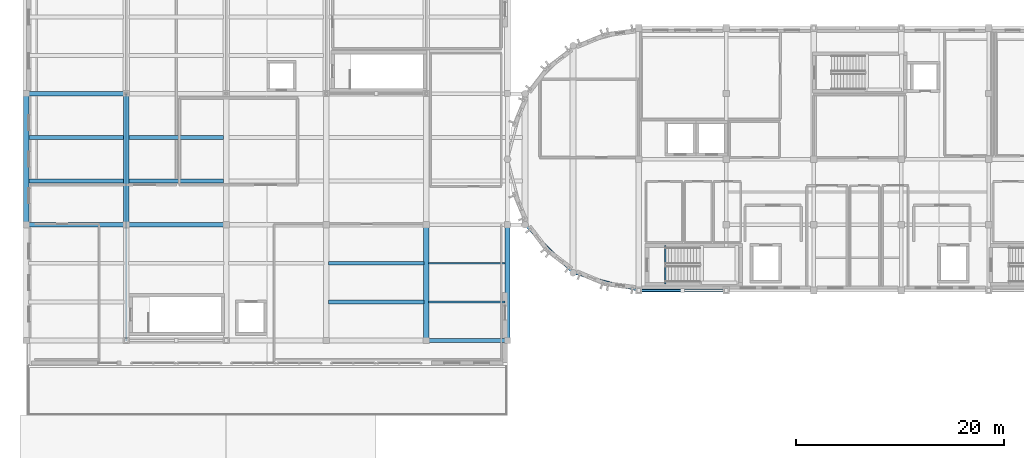
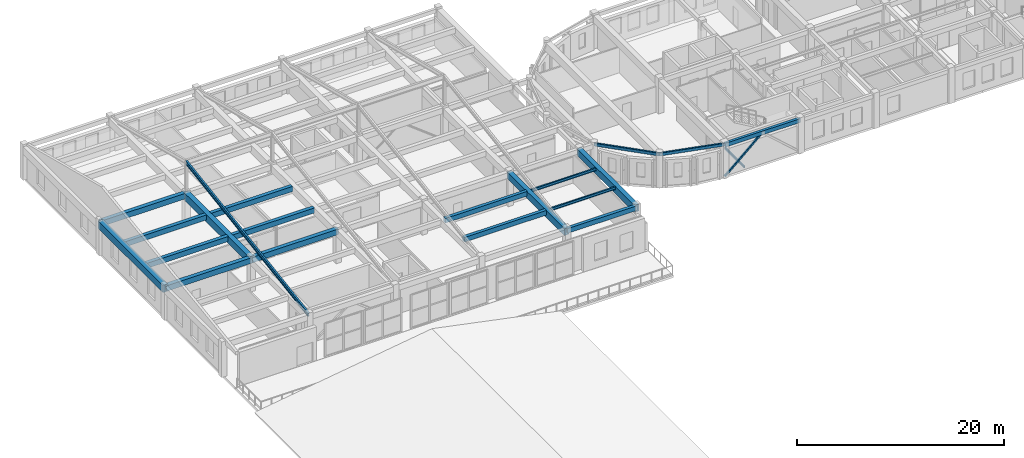
# One storey, part 8 of 29: 20 beams, 2 members.
"""IFC4 building model written with IfcOpenShell, lengths in metres."""

import ifcopenshell
import ifcopenshell.guid

model = None  # the IFC model being written
_history = None  # IfcOwnerHistory: only IFC2X3 demands one
_inside = {}  # id of a spatial element -> (the spatial element, [elements in it])
_under = {}  # id of a project, library or spatial element -> (it, [spatial elements below it])
_declared = {}  # id of a project -> (the project, [libraries it declares])
_typed = {}  # id of a type object -> (the type object, [elements of that type])
_made_of = {}  # id of a material, layer set ... -> (it, [elements and type objects made of it])


def new_model(schema):
    """Start an empty IFC model of exactly this schema.

    Asked for "IFC4X3", IfcOpenShell would pick the latest addendum, in which some entities
    have other attributes; the version numbers below select the first issue.
    IFC2X3 requires an IfcOwnerHistory on every rooted entity: one is made here for all.
    """
    global model, _history
    if schema == "IFC4X3":
        model = ifcopenshell.file(schema_version=(4, 3, 0, 0))
    else:
        model = ifcopenshell.file(schema=schema)
    _inside.clear()
    _under.clear()
    _declared.clear()
    _typed.clear()
    _made_of.clear()
    _history = None
    if model.schema == "IFC2X3":
        org = make("IfcOrganization", Name="unknown")
        user = make(
            "IfcPersonAndOrganization",
            ThePerson=make("IfcPerson", FamilyName="unknown"),
            TheOrganization=org,
        )
        app = make(
            "IfcApplication",
            ApplicationDeveloper=org,
            Version="unknown",
            ApplicationFullName="unknown",
            ApplicationIdentifier="unknown",
        )
        _history = make(
            "IfcOwnerHistory",
            OwningUser=user,
            OwningApplication=app,
            ChangeAction="ADDED",
            CreationDate=0,
        )
    return model


def make(cls, **values):
    """One entity of the class cls with the attributes given. An attribute that is None is left unset."""
    return model.create_entity(
        cls, **{name: value for name, value in values.items() if value is not None}
    )


def rooted(cls, **values):
    """An entity with a GlobalId (a new one), such as an element, a storey or a relation."""
    return make(cls, GlobalId=ifcopenshell.guid.new(), OwnerHistory=_history, **values)


def si_unit(unit_type, name, prefix=None):
    """IfcSIUnit, for example si_unit("LENGTHUNIT", "METRE", prefix="MILLI")."""
    return make("IfcSIUnit", UnitType=unit_type, Prefix=prefix, Name=name)


def assignment(units):
    """IfcUnitAssignment: the units of a project."""
    return None if units is None else make("IfcUnitAssignment", Units=units)


def point(xyz):
    """IfcCartesianPoint."""
    return None if xyz is None else make("IfcCartesianPoint", Coordinates=xyz)


def direction(xyz):
    """IfcDirection."""
    return None if xyz is None else make("IfcDirection", DirectionRatios=xyz)


def frame(location, z_axis=None, x_axis=None):
    """IfcAxis2Placement3D, a coordinate frame: its origin and axes. An axis left out is left unset."""
    return make(
        "IfcAxis2Placement3D",
        Location=point(location),
        Axis=direction(z_axis),
        RefDirection=direction(x_axis),
    )


def frame_2d(location, x_axis=None):
    """IfcAxis2Placement2D, a coordinate frame in the plane: its origin and x axis."""
    return make(
        "IfcAxis2Placement2D", Location=point(location), RefDirection=direction(x_axis)
    )


def origin():
    """The frame at (0, 0, 0) with its axes left unset."""
    return frame((0.0, 0.0, 0.0))


def origin_2d():
    """The frame at (0, 0) in the plane with its x axis left unset."""
    return frame_2d((0.0, 0.0))


def place(relative_to, where):
    """IfcLocalPlacement: puts the frame where relative to a parent placement (None: the world)."""
    return make(
        "IfcLocalPlacement", PlacementRelTo=relative_to, RelativePlacement=where
    )


def context(
    kind, dimensions, precision=None, world=None, true_north=None, identifier=None
):
    """IfcGeometricRepresentationContext, for example the 3D "Model" context."""
    return make(
        "IfcGeometricRepresentationContext",
        ContextIdentifier=identifier,
        ContextType=kind,
        CoordinateSpaceDimension=dimensions,
        Precision=precision,
        WorldCoordinateSystem=world,
        TrueNorth=true_north,
    )


def subcontext(parent, identifier, kind, view, scale=None):
    """IfcGeometricRepresentationSubContext, for example "Body" below "Model"."""
    return make(
        "IfcGeometricRepresentationSubContext",
        ContextIdentifier=identifier,
        ContextType=kind,
        ParentContext=parent,
        TargetScale=scale,
        TargetView=view,
    )


def project(units=None, contexts=None):
    """IfcProject with its units and contexts."""
    return rooted(
        "IfcProject",
        Name="project",
        RepresentationContexts=contexts,
        UnitsInContext=assignment(units),
    )


def spatial(cls, under=None, at=None, **own):
    """A site, building, storey or space (cls), placed at a placement, below another one or the project."""
    s = rooted(cls, ObjectPlacement=at, **own)
    if under is not None:
        _under.setdefault(under.id(), (under, []))[1].append(s)
    return s


def profile(cls, at=None, kind="AREA", **sizes):
    """A parametric profile (cls). Its sizes go by their IFC names, for example OverallWidth=200.0."""
    return make(cls, ProfileType=kind, Position=at, **sizes)


def rectangle(**sizes):
    """IfcRectangleProfileDef."""
    return profile("IfcRectangleProfileDef", **sizes)


def hollow_rectangle(**sizes):
    """IfcRectangleHollowProfileDef."""
    return profile("IfcRectangleHollowProfileDef", **sizes)


def i_section(**sizes):
    """IfcIShapeProfileDef."""
    return profile("IfcIShapeProfileDef", **sizes)


def extrude(swept, where, along, depth):
    """IfcExtrudedAreaSolid: the profile swept, set in the frame where, extruded along a direction by depth."""
    return make(
        "IfcExtrudedAreaSolid",
        SweptArea=swept,
        Position=where,
        ExtrudedDirection=direction(along),
        Depth=depth,
    )


def shape(context_of_items, identifier, shape_type, items):
    """IfcShapeRepresentation: the items that make up one representation, for example the "Body"."""
    return make(
        "IfcShapeRepresentation",
        ContextOfItems=context_of_items,
        RepresentationIdentifier=identifier,
        RepresentationType=shape_type,
        Items=items,
    )


def material(Name=None, Category=None):
    """IfcMaterial."""
    return make("IfcMaterial", Name=Name, Category=Category)


def material_profile(
    of_material, cross_section, Name=None, Category=None, Priority=None
):
    """IfcMaterialProfile: a cross section and its material."""
    return make(
        "IfcMaterialProfile",
        Name=Name,
        Material=of_material,
        Profile=cross_section,
        Priority=Priority,
        Category=Category,
    )


def profile_set(profiles, Name=None, composite=None):
    """IfcMaterialProfileSet."""
    return make(
        "IfcMaterialProfileSet",
        Name=Name,
        MaterialProfiles=profiles,
        CompositeProfile=composite,
    )


def made_of(thing, what):
    """Note that an element or type object is made of a material, layer set ...; save() writes the relation."""
    if what is not None:
        _made_of.setdefault(what.id(), (what, []))[1].append(thing)
    return thing


def type_object(cls, material=None, **own):
    """A type object (cls), such as IfcWallType, which elements share."""
    return made_of(rooted(cls, **own), material)


def element(
    cls,
    number,
    at=None,
    inside=None,
    cuts=None,
    type_object=None,
    material=None,
    context=None,
    identifier="Body",
    shape_type=None,
    held_by="IfcProductDefinitionShape",
    body=None,
    shapes=None,
    **own,
):
    """One element of the class cls, such as IfcWall. Its Tag is "e" and its number.

    at: its placement. inside: the storey or other place that contains it. cuts: it is an
    opening in that element (IfcRelVoidsElement). A single representation is given by context,
    identifier, shape_type and body (its items); several are given by shapes. held_by: the class
    of the entity that holds the representations. save() writes the other relations.
    """
    e = rooted(cls, Tag="e%d" % number, ObjectPlacement=at, **own)
    if body is not None:
        shapes = [shape(context, identifier, shape_type, body)]
    if shapes is not None:
        e.Representation = make(held_by, Representations=shapes)
    if inside is not None:
        _inside.setdefault(inside.id(), (inside, []))[1].append(e)
    if cuts is not None:
        rooted(
            "IfcRelVoidsElement", RelatingBuildingElement=cuts, RelatedOpeningElement=e
        )
    if type_object is not None:
        _typed.setdefault(type_object.id(), (type_object, []))[1].append(e)
    return made_of(e, material)


def aggregate(whole, parts):
    """IfcRelAggregates: a whole, such as a stair, and the parts it consists of."""
    return rooted("IfcRelAggregates", RelatingObject=whole, RelatedObjects=parts)


def save(model, path):
    """Write the relations noted so far, then the file.

    IfcRelAggregates (storeys below a building ...), IfcRelContainedInSpatialStructure (elements
    in a storey), IfcRelDefinesByType, IfcRelAssociatesMaterial and IfcRelDeclares: one each for
    every whole, place, type object, material and project.
    """
    for whole, parts in _under.values():
        aggregate(whole, parts)
    for where, things in _inside.values():
        rooted(
            "IfcRelContainedInSpatialStructure",
            RelatedElements=things,
            RelatingStructure=where,
        )
    for kind, things in _typed.values():
        rooted("IfcRelDefinesByType", RelatedObjects=things, RelatingType=kind)
    for what, things in _made_of.values():
        rooted("IfcRelAssociatesMaterial", RelatedObjects=things, RelatingMaterial=what)
    for by, libraries in _declared.values():
        rooted("IfcRelDeclares", RelatingContext=by, RelatedDefinitions=libraries)
    model.write(path)


model = new_model("IFC4")

# Units and contexts
model_context = context("Model", 3, precision=1e-05, world=origin(), true_north=direction((0.0, 1.0)))
body_context = subcontext(model_context, "Body", "Model", "MODEL_VIEW")
ifc_project = project(units=[si_unit("LENGTHUNIT", "METRE"), si_unit("AREAUNIT", "SQUARE_METRE"), si_unit("VOLUMEUNIT", "CUBIC_METRE"), si_unit("PLANEANGLEUNIT", "RADIAN"), si_unit("MASSUNIT", "GRAM", prefix="KILO")], contexts=[model_context])

# Site, building, storey
site_placement = place(None, origin())
site = spatial("IfcSite", under=ifc_project, at=site_placement, CompositionType="ELEMENT")
building_placement = place(site_placement, origin())
building = spatial("IfcBuilding", under=site, at=building_placement, Name="Tarnavel Promenade Courthouse", CompositionType="ELEMENT")
storey_placement = place(building_placement, frame((0.0, 0.0, 22.800048828125)))
storey = spatial("IfcBuildingStorey", under=building, at=storey_placement, Name="L06", CompositionType="ELEMENT", Elevation=22.800048828125)

# Beams
ifc_material_1 = material(Name="Concrete C40/50", Category="concrete")
ifc_material_profile_1 = material_profile(ifc_material_1, rectangle(XDim=0.35009765625, YDim=0.550048828125, at=origin_2d()), Name="PT 350x550")
ifc_profile_set_1 = profile_set([ifc_material_profile_1], Name="Concrete C40/50")
beam_type_1 = type_object("IfcBeamType", Name="Concrete C40/50 BM-PT-350x550 (PT 350x550)", PredefinedType="JOIST", material=ifc_profile_set_1)
for number, where, z_axis, x_axis, name in (
    (1, (29.02001953125, 78.10009765625, 3.68994140625), (1.0, 0.0, 0.0), (0.0, 1.0, 0.0), "L06 Secondary Floor Rib 2478"),
    (2, (29.02001953125, 81.800048828125, 3.68994140625), (1.0, 0.0, 0.0), (0.0, 1.0, 0.0), "L06 Secondary Floor Rib 2479"),
):
    element("IfcBeam", number, at=place(storey_placement, frame(where, z_axis=z_axis, x_axis=x_axis)), inside=storey, type_object=beam_type_1, Name=name, PredefinedType="JOIST", context=body_context, shape_type="SweptSolid", body=[
        extrude(rectangle(XDim=0.35009765625, YDim=0.550048828125, at=origin_2d()), origin(), (0.0, 0.0, 1.0), 9.159912109375),
    ])
ifc_material_profile_2 = material_profile(ifc_material_1, rectangle(XDim=0.39990234375, YDim=0.60009765625, at=origin_2d()), Name="PT 400x600")
ifc_profile_set_2 = profile_set([ifc_material_profile_2], Name="Concrete C40/50")
beam_type_2 = type_object("IfcBeamType", Name="Concrete C40/50 BM-PT-400x600 (PT 400x600)", PredefinedType="JOIST", material=ifc_profile_set_2)
for number, where, z_axis, x_axis, name in (
    (3, (0.2451171875, 89.699951171875, 3.6650390625), (1.0, 0.0, 0.0), (0.0, 1.0, 0.0), "L06 Secondary Floor Rib 2482"),
    (4, (0.2451171875, 93.89990234375, 3.6650390625), (1.0, 0.0, 0.0), (0.0, 1.0, 0.0), "L06 Secondary Floor Rib 2483"),
):
    element("IfcBeam", number, at=place(storey_placement, frame(where, z_axis=z_axis, x_axis=x_axis)), inside=storey, type_object=beam_type_2, Name=name, PredefinedType="JOIST", context=body_context, shape_type="SweptSolid", body=[
        extrude(rectangle(XDim=0.39990234375, YDim=0.60009765625, at=origin_2d()), origin(), (0.0, 0.0, 1.0), 9.10986328125),
    ])
for number, where, z_axis, x_axis, name in (
    (5, (9.844970703125, 89.699951171875, 3.6650390625), (1.0, 0.0, 0.0), (0.0, 1.0, 0.0), "L06 Secondary Floor Rib 2484"),
    (6, (9.844970703125, 93.89990234375, 3.6650390625), (1.0, 0.0, 0.0), (0.0, 1.0, 0.0), "L06 Secondary Floor Rib 2485"),
):
    element("IfcBeam", number, at=place(storey_placement, frame(where, z_axis=z_axis, x_axis=x_axis)), inside=storey, type_object=beam_type_2, Name=name, PredefinedType="JOIST", context=body_context, shape_type="SweptSolid", body=[
        extrude(rectangle(XDim=0.39990234375, YDim=0.60009765625, at=origin_2d()), origin(), (0.0, 0.0, 1.0), 9.110107421875),
    ])
ifc_material_profile_3 = material_profile(ifc_material_1, rectangle(XDim=0.5, YDim=0.800048828125, at=origin_2d()), Name="PT 500x800")
ifc_profile_set_3 = profile_set([ifc_material_profile_3], Name="Concrete C40/50")
beam_type_3 = type_object("IfcBeamType", Name="Concrete C40/50 BM-PT-500x800 (PT 500x800)", PredefinedType="T_BEAM", material=ifc_profile_set_3)
for number, where, z_axis, x_axis, name in (
    (7, (38.39990234375, 74.39990234375, 3.5400390625), (0.0, 1.0, 0.0), (-1.0, 0.0, 0.0), "L06 Transverse Girder 2444"),
    (8, (46.199951171875, 74.39990234375, 3.5400390625), (0.0, 1.0, 0.0), (-1.0, 0.0, 0.0), "L06 Transverse Girder 2447"),
):
    element("IfcBeam", number, at=place(storey_placement, frame(where, z_axis=z_axis, x_axis=x_axis)), inside=storey, type_object=beam_type_3, Name=name, PredefinedType="T_BEAM", context=body_context, shape_type="SweptSolid", body=[
        extrude(rectangle(XDim=0.5, YDim=0.800048828125, at=origin_2d()), origin(), (0.0, 0.0, 1.0), 11.10009765625),
    ])
ifc_material_profile_4 = material_profile(ifc_material_1, rectangle(XDim=0.550048828125, YDim=0.85009765625, at=origin_2d()), Name="PT 550x850")
ifc_profile_set_4 = profile_set([ifc_material_profile_4], Name="Concrete C40/50")
beam_type_4 = type_object("IfcBeamType", Name="Concrete C40/50 BM-PT-550x850 (PT 550x850)", PredefinedType="T_BEAM", material=ifc_profile_set_4)
for number, where, z_axis, x_axis, name in (
    (9, (0.0, 85.5, 3.5400390625), (0.0, 1.0, 0.0), (-1.0, 0.0, 0.0), "L06 Transverse Girder 2433"),
    (10, (9.60009765625, 85.5, 3.5400390625), (0.0, 1.0, 0.0), (-1.0, 0.0, 0.0), "L06 Transverse Girder 2436"),
):
    element("IfcBeam", number, at=place(storey_placement, frame(where, z_axis=z_axis, x_axis=x_axis)), inside=storey, type_object=beam_type_4, Name=name, PredefinedType="T_BEAM", context=body_context, shape_type="SweptSolid", body=[
        extrude(rectangle(XDim=0.550048828125, YDim=0.85009765625, at=origin_2d()), origin(), (0.0, 0.0, 1.0), 12.60009765625),
    ])
ifc_material_profile_5 = material_profile(ifc_material_1, rectangle(XDim=0.35009765625, YDim=0.550048828125, at=origin_2d()), Name="RC 350x550")
ifc_profile_set_5 = profile_set([ifc_material_profile_5], Name="Concrete C40/50")
beam_type_5 = type_object("IfcBeamType", Name="Concrete C40/50 BM-RC-350x550 (RC 350x550)", PredefinedType="BEAM", material=ifc_profile_set_5)
beam_1_placement = place(storey_placement, frame((38.39990234375, 74.39990234375, 3.68994140625), z_axis=(1.0, 0.0, 0.0), x_axis=(0.0, 1.0, 0.0)))
element("IfcBeam", 11, at=beam_1_placement, inside=storey, type_object=beam_type_5, Name="L06 Primary Longitudinal Beam 2395", PredefinedType="BEAM", context=body_context, shape_type="SweptSolid", body=[
    extrude(rectangle(XDim=0.35009765625, YDim=0.550048828125, at=origin_2d()), origin(), (0.0, 0.0, 1.0), 7.800048828125),
])
ifc_material_profile_6 = material_profile(ifc_material_1, rectangle(XDim=0.449951171875, YDim=0.64990234375, at=origin_2d()), Name="RC 450x650")
ifc_profile_set_6 = profile_set([ifc_material_profile_6], Name="Concrete C40/50")
beam_type_6 = type_object("IfcBeamType", Name="Concrete C40/50 BM-RC-450x650 (RC 450x650)", PredefinedType="T_BEAM", material=ifc_profile_set_6)
beam_2_placement = place(storey_placement, frame((0.0, 85.5, 3.639892578125), z_axis=(1.0, 0.0, 0.0), x_axis=(0.0, 1.0, 0.0)))
element("IfcBeam", 12, at=beam_2_placement, inside=storey, type_object=beam_type_6, Name="L06 Primary Longitudinal Beam 2401", PredefinedType="T_BEAM", context=body_context, shape_type="SweptSolid", body=[
    extrude(rectangle(XDim=0.449951171875, YDim=0.64990234375, at=origin_2d()), origin(), (0.0, 0.0, 1.0), 9.60009765625),
])
beam_3_placement = place(storey_placement, frame((9.60009765625, 85.5, 3.639892578125), z_axis=(1.0, 0.0, 0.0), x_axis=(0.0, 1.0, 0.0)))
element("IfcBeam", 13, at=beam_3_placement, inside=storey, type_object=beam_type_6, Name="L06 Primary Longitudinal Beam 2402", PredefinedType="T_BEAM", context=body_context, shape_type="SweptSolid", body=[
    extrude(rectangle(XDim=0.449951171875, YDim=0.64990234375, at=origin_2d()), origin(), (0.0, 0.0, 1.0), 9.599853515625),
])
beam_4_placement = place(storey_placement, frame((0.0, 98.10009765625, 3.639892578125), z_axis=(1.0, 0.0, 0.0), x_axis=(0.0, 1.0, 0.0)))
element("IfcBeam", 14, at=beam_4_placement, inside=storey, type_object=beam_type_6, Name="L06 Primary Longitudinal Beam 2416", PredefinedType="T_BEAM", context=body_context, shape_type="SweptSolid", body=[
    extrude(rectangle(XDim=0.449951171875, YDim=0.64990234375, at=origin_2d()), origin(), (0.0, 0.0, 1.0), 9.60009765625),
])
ifc_material_profile_7 = material_profile(ifc_material_1, rectangle(XDim=0.300048828125, YDim=0.449951171875, at=origin_2d()), Name="RC 300x450")
ifc_profile_set_7 = profile_set([ifc_material_profile_7], Name="Concrete C40/50")
beam_type_7 = type_object("IfcBeamType", Name="Concrete C40/50 BM-SP-300x450 (RC 300x450)", PredefinedType="SPANDREL", material=ifc_profile_set_7)
beam_5_placement = place(storey_placement, frame((58.800048828125, 79.199951171875, 3.739990234375), z_axis=(1.0, 0.0, 0.0), x_axis=(0.0, 1.0, 0.0)))
element("IfcBeam", 15, at=beam_5_placement, inside=storey, type_object=beam_type_7, Name="L06 Primary Longitudinal Beam 2396", PredefinedType="SPANDREL", context=body_context, shape_type="SweptSolid", body=[
    extrude(rectangle(XDim=0.300048828125, YDim=0.449951171875, at=origin_2d()), origin(), (0.0, 0.0, 1.0), 8.39990234375),
])
ifc_material_2 = material(Name="Steel S355J2", Category="steel")
ifc_material_profile_8 = material_profile(ifc_material_2, i_section(OverallWidth=0.159912109375, OverallDepth=0.330078125, WebThickness=0.007568359375, FlangeThickness=0.011474609375, FilletRadius=0.01806640625, at=origin_2d()), Name="IPE 330")
ifc_profile_set_8 = profile_set([ifc_material_profile_8], Name="Steel S355J2")
beam_type_8 = type_object("IfcBeamType", Name="Steel S355J2 BM-ST-IPE330 (IPE 330)", PredefinedType="JOIST", material=ifc_profile_set_8)
for number, where, z_axis, x_axis, name in (
    (16, (38.6201171875, 78.10009765625, 3.800048828125), (1.0, 0.0, 0.0), (0.0, 1.0, 0.0), "L06 Secondary Floor Rib 2480"),
    (17, (38.6201171875, 81.800048828125, 3.77490234375), (1.0, 0.0, 0.0), (0.0, 1.0, 0.0), "L06 Secondary Floor Rib 2481"),
):
    element("IfcBeam", number, at=place(storey_placement, frame(where, z_axis=z_axis, x_axis=x_axis)), inside=storey, type_object=beam_type_8, Name=name, PredefinedType="JOIST", context=body_context, shape_type="SweptSolid", body=[
        extrude(i_section(OverallWidth=0.159912109375, OverallDepth=0.330078125, WebThickness=0.007568359375, FlangeThickness=0.011474609375, FilletRadius=0.01806640625, at=origin_2d()), origin(), (0.0, 0.0, 1.0), 7.35986328125),
    ])
ifc_material_profile_9 = material_profile(ifc_material_2, i_section(OverallWidth=0.18994140625, OverallDepth=0.449951171875, WebThickness=0.009521484375, FlangeThickness=0.0146484375, FilletRadius=0.02099609375, at=origin_2d()), Name="IPE 450")
ifc_profile_set_9 = profile_set([ifc_material_profile_9], Name="Steel S355J2")
beam_type_9 = type_object("IfcBeamType", Name="Steel S355J2 BM-ST-IPE450 (IPE 450)", PredefinedType="BEAM", material=ifc_profile_set_9)
beam_6_placement = place(storey_placement, frame((9.60009765625, 74.39990234375, 3.800048828125), z_axis=(0.0, 0.988348381141, 0.152208664325), x_axis=(-1.0, 0.0, 0.0)))
element("IfcBeam", 18, at=beam_6_placement, inside=storey, type_object=beam_type_9, Name="Trial Wing Roof Rafter S", PredefinedType="BEAM", context=body_context, shape_type="SweptSolid", body=[
    extrude(i_section(OverallWidth=0.18994140625, OverallDepth=0.449951171875, WebThickness=0.009521484375, FlangeThickness=0.0146484375, FilletRadius=0.02099609375, at=origin_2d()), origin(), (0.0, 0.0, 1.0), 23.9794921875),
])
ifc_material_profile_10 = material_profile(ifc_material_2, hollow_rectangle(XDim=0.199951171875, YDim=0.35009765625, WallThickness=0.012451171875, InnerFilletRadius=0.012451171875, OuterFilletRadius=0.02490234375, at=origin_2d()), Name="RHS 350x200x12.5")
ifc_profile_set_10 = profile_set([ifc_material_profile_10], Name="Steel S355J2")
beam_type_10 = type_object("IfcBeamType", Name="Steel S355J2 BM-ST-RHS350 (RHS 350x200x12.5)", PredefinedType="SPANDREL", material=ifc_profile_set_10)
beam_7_placement = place(storey_placement, frame((47.88818359375, 85.5, 3.7900390625), z_axis=(0.707106781187, -0.707106781187, 0.0), x_axis=(0.707106781187, 0.707106781187, 0.0)))
element("IfcBeam", 19, at=beam_7_placement, inside=storey, type_object=beam_type_10, Name="L06 Drum Ring Spandrel 2513", PredefinedType="SPANDREL", context=body_context, shape_type="SweptSolid", body=[
    extrude(hollow_rectangle(XDim=0.199951171875, YDim=0.35009765625, WallThickness=0.012451171875, InnerFilletRadius=0.012451171875, OuterFilletRadius=0.02490234375, at=origin_2d()), origin(), (0.0, 0.0, 1.0), 6.52197265625),
])
beam_8_placement = place(storey_placement, frame((52.5, 80.88818359375, 3.7900390625), z_axis=(0.965920481897, -0.258838989821, 0.0), x_axis=(0.258838989821, 0.965920481897, 0.0)))
element("IfcBeam", 20, at=beam_8_placement, inside=storey, type_object=beam_type_10, Name="L06 Drum Ring Spandrel 2514", PredefinedType="SPANDREL", context=body_context, shape_type="SweptSolid", body=[
    extrude(hollow_rectangle(XDim=0.199951171875, YDim=0.35009765625, WallThickness=0.012451171875, InnerFilletRadius=0.012451171875, OuterFilletRadius=0.02490234375, at=origin_2d()), origin(), (0.0, 0.0, 1.0), 6.522216796875),
])

# Members
ifc_material_profile_11 = material_profile(ifc_material_2, hollow_rectangle(XDim=0.199951171875, YDim=0.199951171875, WallThickness=0.012451171875, InnerFilletRadius=0.012451171875, OuterFilletRadius=0.02490234375, at=origin_2d()), Name="SHS 200x200x12.5")
ifc_profile_set_11 = profile_set([ifc_material_profile_11], Name="Steel S355J2")
member_type_1 = type_object("IfcMemberType", Name="Steel S355J2 MEM-BR-SHS200 (SHS 200x200x12.5)", PredefinedType="BRACE", material=ifc_profile_set_11)
member_1_placement = place(storey_placement, frame((58.800048828125, 79.199951171875, 0.0), z_axis=(0.749040607987, 0.0, 0.662524088306), x_axis=(0.0, 1.0, 0.0)))
element("IfcMember", 21, at=member_1_placement, inside=storey, type_object=member_type_1, Name="L06 V5 Chevron Brace A 007", PredefinedType="BRACE", context=body_context, shape_type="SweptSolid", body=[
    extrude(hollow_rectangle(XDim=0.199951171875, YDim=0.199951171875, WallThickness=0.012451171875, InnerFilletRadius=0.012451171875, OuterFilletRadius=0.02490234375, at=origin_2d()), origin(), (0.0, 0.0, 1.0), 5.607177734375),
])
ifc_material_profile_12 = material_profile(ifc_material_2, hollow_rectangle(XDim=0.14990234375, YDim=0.25, WallThickness=0.010009765625, InnerFilletRadius=0.010009765625, OuterFilletRadius=0.02001953125, at=origin_2d()), Name="RHS 250x150x10")
ifc_profile_set_12 = profile_set([ifc_material_profile_12], Name="Steel S355J2")
member_type_2 = type_object("IfcMemberType", Name="Steel S355J2 Stair Stringer MEM-STR-250 (RHS 250x150x10)", PredefinedType="STRINGER", material=ifc_profile_set_12)
member_2_placement = place(storey_placement, frame((61.360107421875, 79.800048828125, -0.179931640625), z_axis=(0.0, 1.0, 0.0), x_axis=(-1.0, 0.0, 0.0)))
element("IfcMember", 22, at=member_2_placement, inside=storey, type_object=member_type_2, Name="L06 ST-01 Stair Header Stringer", PredefinedType="STRINGER", context=body_context, shape_type="SweptSolid", body=[
    extrude(hollow_rectangle(XDim=0.14990234375, YDim=0.25, WallThickness=0.010009765625, InnerFilletRadius=0.010009765625, OuterFilletRadius=0.02001953125, at=origin_2d()), origin(), (0.0, 0.0, 1.0), 3.719970703125),
])

save(model, "model.ifc")
